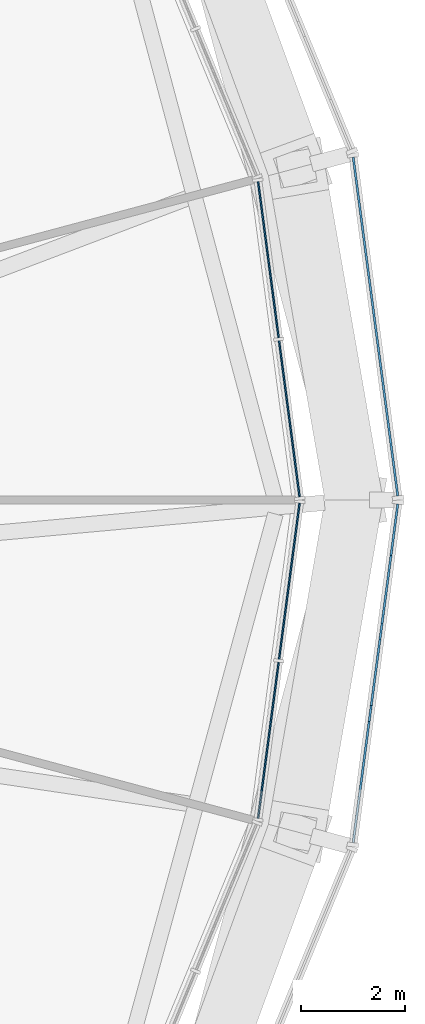
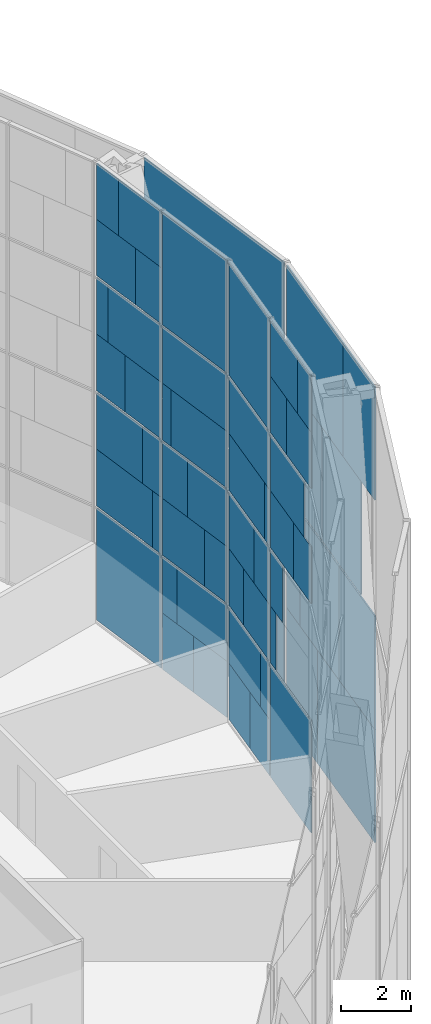
# One storey, part 19 of 28: 58 plates, 4 elements without a shape of their own.
"""IFC4 building model written with IfcOpenShell, lengths in metres."""

from ifc_helpers import new_model, si_unit, direction, frame, origin, origin_2d, place, context, subcontext, project, spatial, rectangle, extrude, material, layer, layer_set, type_object, element, aggregate, save


model = new_model("IFC4")

# Units and contexts
model_context = context("Model", 3, precision=1e-05, world=origin(), true_north=direction((0.0, 1.0)))
body_context = subcontext(model_context, "Body", "Model", "MODEL_VIEW")
ifc_project = project(units=[si_unit("LENGTHUNIT", "METRE"), si_unit("AREAUNIT", "SQUARE_METRE"), si_unit("VOLUMEUNIT", "CUBIC_METRE"), si_unit("PLANEANGLEUNIT", "RADIAN"), si_unit("MASSUNIT", "GRAM", prefix="KILO")], contexts=[model_context])

# Site, building, storey
site_placement = place(None, origin())
site = spatial("IfcSite", under=ifc_project, at=site_placement, CompositionType="ELEMENT")
building_placement = place(site_placement, origin())
building = spatial("IfcBuilding", under=site, at=building_placement, Name="Golbaran Civic Tower", CompositionType="ELEMENT")
storey_placement = place(building_placement, frame((0.0, 0.0, 183.0)))
storey = spatial("IfcBuildingStorey", under=building, at=storey_placement, Name="L44", CompositionType="ELEMENT", Elevation=183.0)

# Curtain wall, plates
ifc_material_1 = material(Name="Aluminium and glass", Category="aluminium")
curtain_wall_type_1 = type_object("IfcCurtainWallType", Name="INNER SKIN CURTAIN WALL EXECUTIVE", PredefinedType="NOTDEFINED", material=ifc_material_1)
curtain_wall_1_placement = place(storey_placement, origin())
curtain_wall_1 = element("IfcCurtainWall", 1, at=curtain_wall_1_placement, inside=storey, type_object=curtain_wall_type_1, Name="Inner skin L44 facet 1 CW2", ObjectType="INNER SKIN", PredefinedType="USERDEFINED")
ifc_material_2 = material(Name="Clear insulating glass", Category="glass")
ifc_layer_1 = layer(ifc_material_2, 0.031982421875, Name="Clear insulating glass")
ifc_layer_set_1 = layer_set([ifc_layer_1], Name="Clear insulating glass")
plate_type_1 = type_object("IfcPlateType", Name="INNER SKIN CURTAIN WALL EXECUTIVE GLAZED PANEL", PredefinedType="CURTAIN_PANEL", material=ifc_layer_set_1)
plate_1_placement = place(storey_placement, frame((23.50537109375, 2.328369140625, 0.06005859375), z_axis=(0.0, 0.0, 1.0), x_axis=(-0.130526192151, 0.991444861383, 0.0)))
plate_1 = element("IfcPlate", 2, at=plate_1_placement, type_object=plate_type_1, Name="CW2 panel 1.1 part 2", PredefinedType="CURTAIN_PANEL", context=body_context, shape_type="SweptSolid", body=[
    extrude(rectangle(XDim=1.458984375, YDim=0.031982421875, at=origin_2d()), origin(), (0.0, 0.0, 1.0), 1.955078125),
])
plate_2_placement = place(storey_placement, frame((23.453857421875, 2.719482421875, 2.014892578125), z_axis=(0.0, 0.0, 1.0), x_axis=(-0.130526192151, 0.991444861383, 0.0)))
plate_2 = element("IfcPlate", 3, at=plate_2_placement, type_object=plate_type_1, Name="CW2 panel 1.1 part 4", PredefinedType="CURTAIN_PANEL", context=body_context, shape_type="SweptSolid", body=[
    extrude(rectangle(XDim=0.670166015625, YDim=0.031982421875, at=origin_2d()), origin(), (0.0, 0.0, 1.0), 1.955078125),
])
plate_3_placement = place(storey_placement, frame((23.735107421875, 0.5849609375, 4.02978515625), z_axis=(0.0, 0.0, 1.0), x_axis=(-0.130526192151, 0.991444861383, 0.0)))
plate_3 = element("IfcPlate", 4, at=plate_3_placement, type_object=plate_type_1, Name="CW2 panel 1.2 part 1", PredefinedType="CURTAIN_PANEL", context=body_context, shape_type="SweptSolid", body=[
    extrude(rectangle(XDim=1.06005859375, YDim=0.031982421875, at=origin_2d()), origin(), (0.0, 0.0, 1.0), 1.969970703125),
])
plate_4_placement = place(storey_placement, frame((23.68310546875, 0.97900390625, 6.0), z_axis=(0.0, 0.0, 1.0), x_axis=(-0.130526192151, 0.991444861383, 0.0)))
plate_4 = element("IfcPlate", 5, at=plate_4_placement, type_object=plate_type_1, Name="CW2 panel 1.2 part 3", PredefinedType="CURTAIN_PANEL", context=body_context, shape_type="SweptSolid", body=[
    extrude(rectangle(XDim=1.85498046875, YDim=0.031982421875, at=origin_2d()), origin(), (0.0, 0.0, 1.0), 1.969970703125),
])
plate_5_placement = place(storey_placement, frame((23.63330078125, 1.356689453125, 8.02978515625), z_axis=(0.0, 0.0, 1.0), x_axis=(-0.130526192151, 0.991444861383, 0.0)))
plate_5 = element("IfcPlate", 6, at=plate_5_placement, type_object=plate_type_1, Name="CW2 panel 1.3 part 1", PredefinedType="CURTAIN_PANEL", context=body_context, shape_type="SweptSolid", body=[
    extrude(rectangle(XDim=2.616943359375, YDim=0.031982421875, at=origin_2d()), origin(), (0.0, 0.0, 1.0), 1.969970703125),
])
plate_6_placement = place(storey_placement, frame((23.607177734375, 1.5556640625, 10.0), z_axis=(0.0, 0.0, 1.0), x_axis=(-0.130526192151, 0.991444861383, 0.0)))
plate_6 = element("IfcPlate", 7, at=plate_6_placement, type_object=plate_type_1, Name="CW2 panel 1.3 part 3", PredefinedType="CURTAIN_PANEL", context=body_context, shape_type="SweptSolid", body=[
    extrude(rectangle(XDim=3.01806640625, YDim=0.031982421875, at=origin_2d()), origin(), (0.0, 0.0, 1.0), 1.969970703125),
])
plate_7_placement = place(storey_placement, frame((23.607177734375, 1.5556640625, 12.0302734375), z_axis=(0.0, 0.0, 1.0), x_axis=(-0.130526192151, 0.991444861383, 0.0)))
plate_7 = element("IfcPlate", 8, at=plate_7_placement, type_object=plate_type_1, Name="CW2 panel 1.4", PredefinedType="CURTAIN_PANEL", context=body_context, shape_type="SweptSolid", body=[
    extrude(rectangle(XDim=3.01806640625, YDim=0.031982421875, at=origin_2d()), origin(), (0.0, 0.0, 1.0), 3.909912109375),
])
plate_8_placement = place(storey_placement, frame((23.205322265625, 4.607421875, 0.06005859375), z_axis=(0.0, 0.0, 1.0), x_axis=(-0.130526192151, 0.991444861383, 0.0)))
plate_8 = element("IfcPlate", 9, at=plate_8_placement, type_object=plate_type_1, Name="CW2 panel 2.1", PredefinedType="CURTAIN_PANEL", context=body_context, shape_type="SweptSolid", body=[
    extrude(rectangle(XDim=3.01806640625, YDim=0.031982421875, at=origin_2d()), origin(), (0.0, 0.0, 1.0), 3.909912109375),
])
plate_9_placement = place(storey_placement, frame((23.179443359375, 4.8056640625, 4.02978515625), z_axis=(0.0, 0.0, 1.0), x_axis=(-0.130526192151, 0.991444861383, 0.0)))
plate_9 = element("IfcPlate", 10, at=plate_9_placement, type_object=plate_type_1, Name="CW2 panel 2.2 part 2", PredefinedType="CURTAIN_PANEL", context=body_context, shape_type="SweptSolid", body=[
    extrude(rectangle(XDim=2.6181640625, YDim=0.031982421875, at=origin_2d()), origin(), (0.0, 0.0, 1.0), 1.969970703125),
])
plate_10_placement = place(storey_placement, frame((23.14794921875, 5.044677734375, 6.0), z_axis=(0.0, 0.0, 1.0), x_axis=(-0.130526192151, 0.991444861383, 0.0)))
plate_10 = element("IfcPlate", 11, at=plate_10_placement, type_object=plate_type_1, Name="CW2 panel 2.2 part 4", PredefinedType="CURTAIN_PANEL", context=body_context, shape_type="SweptSolid", body=[
    extrude(rectangle(XDim=2.135986328125, YDim=0.031982421875, at=origin_2d()), origin(), (0.0, 0.0, 1.0), 1.969970703125),
])
plate_11_placement = place(storey_placement, frame((23.094482421875, 5.45068359375, 8.02978515625), z_axis=(0.0, 0.0, 1.0), x_axis=(-0.130526192151, 0.991444861383, 0.0)))
plate_11 = element("IfcPlate", 12, at=plate_11_placement, type_object=plate_type_1, Name="CW2 panel 2.3 part 2", PredefinedType="CURTAIN_PANEL", context=body_context, shape_type="SweptSolid", body=[
    extrude(rectangle(XDim=1.317138671875, YDim=0.031982421875, at=origin_2d()), origin(), (0.0, 0.0, 1.0), 1.969970703125),
])
plate_12_placement = place(storey_placement, frame((23.04248046875, 5.84423828125, 10.0), z_axis=(0.0, 0.0, 1.0), x_axis=(-0.130526192151, 0.991444861383, 0.0)))
plate_12 = element("IfcPlate", 13, at=plate_12_placement, type_object=plate_type_1, Name="CW2 panel 2.3 part 4", PredefinedType="CURTAIN_PANEL", context=body_context, shape_type="SweptSolid", body=[
    extrude(rectangle(XDim=0.523193359375, YDim=0.031982421875, at=origin_2d()), origin(), (0.0, 0.0, 1.0), 1.969970703125),
])
plate_13_placement = place(storey_placement, frame((23.323486328125, 3.7099609375, 12.030029296875), z_axis=(0.0, 0.0, 1.0), x_axis=(-0.130526192151, 0.991444861383, 0.0)))
plate_13 = element("IfcPlate", 14, at=plate_13_placement, type_object=plate_type_1, Name="CW2 panel 2.4 part 1", PredefinedType="CURTAIN_PANEL", context=body_context, shape_type="SweptSolid", body=[
    extrude(rectangle(XDim=1.2080078125, YDim=0.031982421875, at=origin_2d()), origin(), (0.0, 0.0, 1.0), 1.955078125),
])
plate_14_placement = place(storey_placement, frame((23.272216796875, 4.1005859375, 13.98486328125), z_axis=(0.0, 0.0, 1.0), x_axis=(-0.130526192151, 0.991444861383, 0.0)))
plate_14 = element("IfcPlate", 15, at=plate_14_placement, type_object=plate_type_1, Name="CW2 panel 2.4 part 3", PredefinedType="CURTAIN_PANEL", context=body_context, shape_type="SweptSolid", body=[
    extrude(rectangle(XDim=1.99609375, YDim=0.031982421875, at=origin_2d()), origin(), (0.0, 0.0, 1.0), 1.955078125),
])

curtain_wall_2_placement = place(storey_placement, origin())
curtain_wall_2 = element("IfcCurtainWall", 16, at=curtain_wall_2_placement, inside=storey, type_object=curtain_wall_type_1, Name="Inner skin L44 facet 24 CW2", ObjectType="INNER SKIN", PredefinedType="USERDEFINED")
plate_15_placement = place(storey_placement, frame((23.205322265625, -4.607421875, 0.06005859375), z_axis=(0.0, 0.0, 1.0), x_axis=(0.130526192151, 0.991444861383, 0.0)))
plate_15 = element("IfcPlate", 17, at=plate_15_placement, type_object=plate_type_1, Name="CW2 panel 1.1", PredefinedType="CURTAIN_PANEL", context=body_context, shape_type="SweptSolid", body=[
    extrude(rectangle(XDim=3.01806640625, YDim=0.031982421875, at=origin_2d()), origin(), (0.0, 0.0, 1.0), 3.909912109375),
])
plate_16_placement = place(storey_placement, frame((23.094482421875, -5.45068359375, 8.02978515625), z_axis=(0.0, 0.0, 1.0), x_axis=(0.130526192151, 0.991444861383, 0.0)))
plate_16 = element("IfcPlate", 18, at=plate_16_placement, type_object=plate_type_1, Name="CW2 panel 1.3 part 1", PredefinedType="CURTAIN_PANEL", context=body_context, shape_type="SweptSolid", body=[
    extrude(rectangle(XDim=1.31689453125, YDim=0.031982421875, at=origin_2d()), origin(), (0.0, 0.0, 1.0), 1.969970703125),
])
plate_17_placement = place(storey_placement, frame((23.323486328125, -3.710205078125, 12.030029296875), z_axis=(0.0, 0.0, 1.0), x_axis=(0.130526192151, 0.991444861383, 0.0)))
plate_17 = element("IfcPlate", 19, at=plate_17_placement, type_object=plate_type_1, Name="CW2 panel 1.4 part 2", PredefinedType="CURTAIN_PANEL", context=body_context, shape_type="SweptSolid", body=[
    extrude(rectangle(XDim=1.2080078125, YDim=0.031982421875, at=origin_2d()), origin(), (0.0, 0.0, 1.0), 1.955078125),
])
plate_18_placement = place(storey_placement, frame((23.272216796875, -4.100830078125, 13.98486328125), z_axis=(0.0, 0.0, 1.0), x_axis=(0.130526192151, 0.991444861383, 0.0)))
plate_18 = element("IfcPlate", 20, at=plate_18_placement, type_object=plate_type_1, Name="CW2 panel 1.4 part 4", PredefinedType="CURTAIN_PANEL", context=body_context, shape_type="SweptSolid", body=[
    extrude(rectangle(XDim=1.99609375, YDim=0.031982421875, at=origin_2d()), origin(), (0.0, 0.0, 1.0), 1.955078125),
])
plate_19_placement = place(storey_placement, frame((23.50537109375, -2.32861328125, 0.06005859375), z_axis=(0.0, 0.0, 1.0), x_axis=(0.130526192151, 0.991444861383, 0.0)))
plate_19 = element("IfcPlate", 21, at=plate_19_placement, type_object=plate_type_1, Name="CW2 panel 2.1 part 1", PredefinedType="CURTAIN_PANEL", context=body_context, shape_type="SweptSolid", body=[
    extrude(rectangle(XDim=1.458984375, YDim=0.031982421875, at=origin_2d()), origin(), (0.0, 0.0, 1.0), 1.955078125),
])
plate_20_placement = place(storey_placement, frame((23.453857421875, -2.7197265625, 2.014892578125), z_axis=(0.0, 0.0, 1.0), x_axis=(0.130526192151, 0.991444861383, 0.0)))
plate_20 = element("IfcPlate", 22, at=plate_20_placement, type_object=plate_type_1, Name="CW2 panel 2.1 part 3", PredefinedType="CURTAIN_PANEL", context=body_context, shape_type="SweptSolid", body=[
    extrude(rectangle(XDim=0.669921875, YDim=0.031982421875, at=origin_2d()), origin(), (0.0, 0.0, 1.0), 1.955078125),
])
plate_21_placement = place(storey_placement, frame((23.73486328125, -0.5849609375, 4.02978515625), z_axis=(0.0, 0.0, 1.0), x_axis=(0.130526192151, 0.991444861383, 0.0)))
plate_21 = element("IfcPlate", 23, at=plate_21_placement, type_object=plate_type_1, Name="CW2 panel 2.2 part 2", PredefinedType="CURTAIN_PANEL", context=body_context, shape_type="SweptSolid", body=[
    extrude(rectangle(XDim=1.06005859375, YDim=0.031982421875, at=origin_2d()), origin(), (0.0, 0.0, 1.0), 1.969970703125),
])
plate_22_placement = place(storey_placement, frame((23.68310546875, -0.97900390625, 6.0), z_axis=(0.0, 0.0, 1.0), x_axis=(0.130526192151, 0.991444861383, 0.0)))
plate_22 = element("IfcPlate", 24, at=plate_22_placement, type_object=plate_type_1, Name="CW2 panel 2.2 part 4", PredefinedType="CURTAIN_PANEL", context=body_context, shape_type="SweptSolid", body=[
    extrude(rectangle(XDim=1.85498046875, YDim=0.031982421875, at=origin_2d()), origin(), (0.0, 0.0, 1.0), 1.969970703125),
])
plate_23_placement = place(storey_placement, frame((23.63330078125, -1.35693359375, 8.02978515625), z_axis=(0.0, 0.0, 1.0), x_axis=(0.130526192151, 0.991444861383, 0.0)))
plate_23 = element("IfcPlate", 25, at=plate_23_placement, type_object=plate_type_1, Name="CW2 panel 2.3 part 2", PredefinedType="CURTAIN_PANEL", context=body_context, shape_type="SweptSolid", body=[
    extrude(rectangle(XDim=2.6171875, YDim=0.031982421875, at=origin_2d()), origin(), (0.0, 0.0, 1.0), 1.969970703125),
])
plate_24_placement = place(storey_placement, frame((23.607177734375, -1.5556640625, 10.0), z_axis=(0.0, 0.0, 1.0), x_axis=(0.130526192151, 0.991444861383, 0.0)))
plate_24 = element("IfcPlate", 26, at=plate_24_placement, type_object=plate_type_1, Name="CW2 panel 2.3 part 3", PredefinedType="CURTAIN_PANEL", context=body_context, shape_type="SweptSolid", body=[
    extrude(rectangle(XDim=3.01806640625, YDim=0.031982421875, at=origin_2d()), origin(), (0.0, 0.0, 1.0), 1.969970703125),
])
plate_25_placement = place(storey_placement, frame((23.607177734375, -1.5556640625, 12.0302734375), z_axis=(0.0, 0.0, 1.0), x_axis=(0.130526192151, 0.991444861383, 0.0)))
plate_25 = element("IfcPlate", 27, at=plate_25_placement, type_object=plate_type_1, Name="CW2 panel 2.4", PredefinedType="CURTAIN_PANEL", context=body_context, shape_type="SweptSolid", body=[
    extrude(rectangle(XDim=3.01806640625, YDim=0.031982421875, at=origin_2d()), origin(), (0.0, 0.0, 1.0), 3.909912109375),
])

# Plate
ifc_material_3 = material(Name="Aluminium faced opaque infill panel", Category="aluminium")
ifc_layer_2 = layer(ifc_material_3, 0.031982421875, Name="Aluminium faced opaque infill panel")
ifc_layer_set_2 = layer_set([ifc_layer_2], Name="Aluminium faced opaque infill panel")
plate_type_2 = type_object("IfcPlateType", Name="INNER SKIN CURTAIN WALL EXECUTIVE OPAQUE INFILL PANEL", PredefinedType="CURTAIN_PANEL", material=ifc_layer_set_2)
plate_26_placement = place(storey_placement, frame((23.702392578125, 0.832275390625, 0.06005859375), z_axis=(0.0, 0.0, 1.0), x_axis=(-0.130526192151, 0.991444861383, 0.0)))
plate_26 = element("IfcPlate", 28, at=plate_26_placement, type_object=plate_type_2, Name="CW2 infill panel 1.1 part 1", PredefinedType="CURTAIN_PANEL", context=body_context, shape_type="SweptSolid", body=[
    extrude(rectangle(XDim=1.55908203125, YDim=0.031982421875, at=origin_2d()), origin(), (0.0, 0.0, 1.0), 1.955078125),
])

plate_27_placement = place(storey_placement, frame((23.65087890625, 1.223388671875, 2.014892578125), z_axis=(0.0, 0.0, 1.0), x_axis=(-0.130526192151, 0.991444861383, 0.0)))
plate_27 = element("IfcPlate", 29, at=plate_27_placement, type_object=plate_type_2, Name="CW2 infill panel 1.1 part 3", PredefinedType="CURTAIN_PANEL", context=body_context, shape_type="SweptSolid", body=[
    extrude(rectangle(XDim=2.347900390625, YDim=0.031982421875, at=origin_2d()), origin(), (0.0, 0.0, 1.0), 1.955078125),
])

plate_28_placement = place(storey_placement, frame((23.5380859375, 2.0810546875, 4.02978515625), z_axis=(0.0, 0.0, 1.0), x_axis=(-0.130526192151, 0.991444861383, 0.0)))
plate_28 = element("IfcPlate", 30, at=plate_28_placement, type_object=plate_type_2, Name="CW2 infill panel 1.2 part 2", PredefinedType="CURTAIN_PANEL", context=body_context, shape_type="SweptSolid", body=[
    extrude(rectangle(XDim=1.9580078125, YDim=0.031982421875, at=origin_2d()), origin(), (0.0, 0.0, 1.0), 1.969970703125),
])

plate_29_placement = place(storey_placement, frame((23.486083984375, 2.47509765625, 6.0), z_axis=(0.0, 0.0, 1.0), x_axis=(-0.130526192151, 0.991444861383, 0.0)))
plate_29 = element("IfcPlate", 31, at=plate_29_placement, type_object=plate_type_2, Name="CW2 infill panel 1.2 part 4", PredefinedType="CURTAIN_PANEL", context=body_context, shape_type="SweptSolid", body=[
    extrude(rectangle(XDim=1.1630859375, YDim=0.031982421875, at=origin_2d()), origin(), (0.0, 0.0, 1.0), 1.969970703125),
])

plate_30_placement = place(storey_placement, frame((23.4365234375, 2.85302734375, 8.02978515625), z_axis=(0.0, 0.0, 1.0), x_axis=(-0.130526192151, 0.991444861383, 0.0)))
plate_30 = element("IfcPlate", 32, at=plate_30_placement, type_object=plate_type_2, Name="CW2 infill panel 1.3 part 2", PredefinedType="CURTAIN_PANEL", context=body_context, shape_type="SweptSolid", body=[
    extrude(rectangle(XDim=0.401123046875, YDim=0.031982421875, at=origin_2d()), origin(), (0.0, 0.0, 1.0), 1.969970703125),
])

plate_31_placement = place(storey_placement, frame((23.376220703125, 3.3095703125, 4.02978515625), z_axis=(0.0, 0.0, 1.0), x_axis=(-0.130526192151, 0.991444861383, 0.0)))
plate_31 = element("IfcPlate", 33, at=plate_31_placement, type_object=plate_type_2, Name="CW2 infill panel 2.2 part 1", PredefinedType="CURTAIN_PANEL", context=body_context, shape_type="SweptSolid", body=[
    extrude(rectangle(XDim=0.39990234375, YDim=0.031982421875, at=origin_2d()), origin(), (0.0, 0.0, 1.0), 1.969970703125),
])

plate_32_placement = place(storey_placement, frame((23.3447265625, 3.548583984375, 6.0), z_axis=(0.0, 0.0, 1.0), x_axis=(-0.130526192151, 0.991444861383, 0.0)))
plate_32 = element("IfcPlate", 34, at=plate_32_placement, type_object=plate_type_2, Name="CW2 infill panel 2.2 part 3", PredefinedType="CURTAIN_PANEL", context=body_context, shape_type="SweptSolid", body=[
    extrude(rectangle(XDim=0.882080078125, YDim=0.031982421875, at=origin_2d()), origin(), (0.0, 0.0, 1.0), 1.969970703125),
])

plate_33_placement = place(storey_placement, frame((23.29150390625, 3.954345703125, 8.02978515625), z_axis=(0.0, 0.0, 1.0), x_axis=(-0.130526192151, 0.991444861383, 0.0)))
plate_33 = element("IfcPlate", 35, at=plate_33_placement, type_object=plate_type_2, Name="CW2 infill panel 2.3 part 1", PredefinedType="CURTAIN_PANEL", context=body_context, shape_type="SweptSolid", body=[
    extrude(rectangle(XDim=1.700927734375, YDim=0.031982421875, at=origin_2d()), origin(), (0.0, 0.0, 1.0), 1.969970703125),
])

plate_34_placement = place(storey_placement, frame((23.239501953125, 4.34814453125, 10.0), z_axis=(0.0, 0.0, 1.0), x_axis=(-0.130526192151, 0.991444861383, 0.0)))
plate_34 = element("IfcPlate", 36, at=plate_34_placement, type_object=plate_type_2, Name="CW2 infill panel 2.3 part 3", PredefinedType="CURTAIN_PANEL", context=body_context, shape_type="SweptSolid", body=[
    extrude(rectangle(XDim=2.4951171875, YDim=0.031982421875, at=origin_2d()), origin(), (0.0, 0.0, 1.0), 1.969970703125),
])

plate_35_placement = place(storey_placement, frame((23.126708984375, 5.206298828125, 12.030029296875), z_axis=(0.0, 0.0, 1.0), x_axis=(-0.130526192151, 0.991444861383, 0.0)))
plate_35 = element("IfcPlate", 37, at=plate_35_placement, type_object=plate_type_2, Name="CW2 infill panel 2.4 part 2", PredefinedType="CURTAIN_PANEL", context=body_context, shape_type="SweptSolid", body=[
    extrude(rectangle(XDim=1.81005859375, YDim=0.031982421875, at=origin_2d()), origin(), (0.0, 0.0, 1.0), 1.955078125),
])

plate_36_placement = place(storey_placement, frame((23.0751953125, 5.596923828125, 13.98486328125), z_axis=(0.0, 0.0, 1.0), x_axis=(-0.130526192151, 0.991444861383, 0.0)))
plate_36 = element("IfcPlate", 38, at=plate_36_placement, type_object=plate_type_2, Name="CW2 infill panel 2.4 part 4", PredefinedType="CURTAIN_PANEL", context=body_context, shape_type="SweptSolid", body=[
    extrude(rectangle(XDim=1.02197265625, YDim=0.031982421875, at=origin_2d()), origin(), (0.0, 0.0, 1.0), 1.955078125),
])

aggregate(curtain_wall_1, [plate_26, plate_1, plate_27, plate_2, plate_3, plate_28, plate_4, plate_29, plate_5, plate_30, plate_6, plate_7, plate_8, plate_31, plate_9, plate_32, plate_10, plate_33, plate_11, plate_34, plate_12, plate_13, plate_35, plate_14, plate_36])

plate_37_placement = place(storey_placement, frame((23.376220703125, -3.31005859375, 4.02978515625), z_axis=(0.0, 0.0, 1.0), x_axis=(0.130526192151, 0.991444861383, 0.0)))
plate_37 = element("IfcPlate", 39, at=plate_37_placement, type_object=plate_type_2, Name="CW2 infill panel 1.2 part 2", PredefinedType="CURTAIN_PANEL", context=body_context, shape_type="SweptSolid", body=[
    extrude(rectangle(XDim=0.401123046875, YDim=0.031982421875, at=origin_2d()), origin(), (0.0, 0.0, 1.0), 1.969970703125),
])

plate_38_placement = place(storey_placement, frame((23.3447265625, -3.548583984375, 6.0), z_axis=(0.0, 0.0, 1.0), x_axis=(0.130526192151, 0.991444861383, 0.0)))
plate_38 = element("IfcPlate", 40, at=plate_38_placement, type_object=plate_type_2, Name="CW2 infill panel 1.2 part 4", PredefinedType="CURTAIN_PANEL", context=body_context, shape_type="SweptSolid", body=[
    extrude(rectangle(XDim=0.882080078125, YDim=0.031982421875, at=origin_2d()), origin(), (0.0, 0.0, 1.0), 1.969970703125),
])

plate_39_placement = place(storey_placement, frame((23.291259765625, -3.95458984375, 8.02978515625), z_axis=(0.0, 0.0, 1.0), x_axis=(0.130526192151, 0.991444861383, 0.0)))
plate_39 = element("IfcPlate", 41, at=plate_39_placement, type_object=plate_type_2, Name="CW2 infill panel 1.3 part 2", PredefinedType="CURTAIN_PANEL", context=body_context, shape_type="SweptSolid", body=[
    extrude(rectangle(XDim=1.701171875, YDim=0.031982421875, at=origin_2d()), origin(), (0.0, 0.0, 1.0), 1.969970703125),
])

plate_40_placement = place(storey_placement, frame((23.239501953125, -4.34814453125, 10.0), z_axis=(0.0, 0.0, 1.0), x_axis=(0.130526192151, 0.991444861383, 0.0)))
plate_40 = element("IfcPlate", 42, at=plate_40_placement, type_object=plate_type_2, Name="CW2 infill panel 1.3 part 4", PredefinedType="CURTAIN_PANEL", context=body_context, shape_type="SweptSolid", body=[
    extrude(rectangle(XDim=2.4951171875, YDim=0.031982421875, at=origin_2d()), origin(), (0.0, 0.0, 1.0), 1.969970703125),
])

plate_41_placement = place(storey_placement, frame((23.12646484375, -5.206298828125, 12.030029296875), z_axis=(0.0, 0.0, 1.0), x_axis=(0.130526192151, 0.991444861383, 0.0)))
plate_41 = element("IfcPlate", 43, at=plate_41_placement, type_object=plate_type_2, Name="CW2 infill panel 1.4 part 1", PredefinedType="CURTAIN_PANEL", context=body_context, shape_type="SweptSolid", body=[
    extrude(rectangle(XDim=1.81005859375, YDim=0.031982421875, at=origin_2d()), origin(), (0.0, 0.0, 1.0), 1.955078125),
])

plate_42_placement = place(storey_placement, frame((23.0751953125, -5.596923828125, 13.98486328125), z_axis=(0.0, 0.0, 1.0), x_axis=(0.130526192151, 0.991444861383, 0.0)))
plate_42 = element("IfcPlate", 44, at=plate_42_placement, type_object=plate_type_2, Name="CW2 infill panel 1.4 part 3", PredefinedType="CURTAIN_PANEL", context=body_context, shape_type="SweptSolid", body=[
    extrude(rectangle(XDim=1.02197265625, YDim=0.031982421875, at=origin_2d()), origin(), (0.0, 0.0, 1.0), 1.955078125),
])

plate_43_placement = place(storey_placement, frame((23.702392578125, -0.832275390625, 0.06005859375), z_axis=(0.0, 0.0, 1.0), x_axis=(0.130526192151, 0.991444861383, 0.0)))
plate_43 = element("IfcPlate", 45, at=plate_43_placement, type_object=plate_type_2, Name="CW2 infill panel 2.1 part 2", PredefinedType="CURTAIN_PANEL", context=body_context, shape_type="SweptSolid", body=[
    extrude(rectangle(XDim=1.55908203125, YDim=0.031982421875, at=origin_2d()), origin(), (0.0, 0.0, 1.0), 1.955078125),
])

plate_44_placement = place(storey_placement, frame((23.65087890625, -1.223388671875, 2.014892578125), z_axis=(0.0, 0.0, 1.0), x_axis=(0.130526192151, 0.991444861383, 0.0)))
plate_44 = element("IfcPlate", 46, at=plate_44_placement, type_object=plate_type_2, Name="CW2 infill panel 2.1 part 4", PredefinedType="CURTAIN_PANEL", context=body_context, shape_type="SweptSolid", body=[
    extrude(rectangle(XDim=2.34814453125, YDim=0.031982421875, at=origin_2d()), origin(), (0.0, 0.0, 1.0), 1.955078125),
])

plate_45_placement = place(storey_placement, frame((23.5380859375, -2.0810546875, 4.02978515625), z_axis=(0.0, 0.0, 1.0), x_axis=(0.130526192151, 0.991444861383, 0.0)))
plate_45 = element("IfcPlate", 47, at=plate_45_placement, type_object=plate_type_2, Name="CW2 infill panel 2.2 part 1", PredefinedType="CURTAIN_PANEL", context=body_context, shape_type="SweptSolid", body=[
    extrude(rectangle(XDim=1.9580078125, YDim=0.031982421875, at=origin_2d()), origin(), (0.0, 0.0, 1.0), 1.969970703125),
])

plate_46_placement = place(storey_placement, frame((23.486083984375, -2.475341796875, 6.0), z_axis=(0.0, 0.0, 1.0), x_axis=(0.130526192151, 0.991444861383, 0.0)))
plate_46 = element("IfcPlate", 48, at=plate_46_placement, type_object=plate_type_2, Name="CW2 infill panel 2.2 part 3", PredefinedType="CURTAIN_PANEL", context=body_context, shape_type="SweptSolid", body=[
    extrude(rectangle(XDim=1.1630859375, YDim=0.031982421875, at=origin_2d()), origin(), (0.0, 0.0, 1.0), 1.969970703125),
])

plate_47_placement = place(storey_placement, frame((23.436279296875, -2.85302734375, 8.02978515625), z_axis=(0.0, 0.0, 1.0), x_axis=(0.130526192151, 0.991444861383, 0.0)))
plate_47 = element("IfcPlate", 49, at=plate_47_placement, type_object=plate_type_2, Name="CW2 infill panel 2.3 part 1", PredefinedType="CURTAIN_PANEL", context=body_context, shape_type="SweptSolid", body=[
    extrude(rectangle(XDim=0.40087890625, YDim=0.031982421875, at=origin_2d()), origin(), (0.0, 0.0, 1.0), 1.969970703125),
])

aggregate(curtain_wall_2, [plate_15, plate_37, plate_38, plate_16, plate_39, plate_40, plate_41, plate_17, plate_42, plate_18, plate_19, plate_43, plate_20, plate_44, plate_45, plate_21, plate_46, plate_22, plate_47, plate_23, plate_24, plate_25])

# Curtain wall, plates
curtain_wall_type_2 = type_object("IfcCurtainWallType", Name="OUTER SKIN TERRACOTTA SCREEN", PredefinedType="NOTDEFINED", material=ifc_material_1)
curtain_wall_3_placement = place(storey_placement, origin())
curtain_wall_3 = element("IfcCurtainWall", 50, at=curtain_wall_3_placement, inside=storey, type_object=curtain_wall_type_2, Name="Outer skin L44 facet 24 CW3", ObjectType="OUTER SKIN", PredefinedType="USERDEFINED")
ifc_material_4 = material(Name="Clear laminated glass", Category="glass")
ifc_layer_3 = layer(ifc_material_4, 0.0400390625, Name="Clear laminated glass")
ifc_layer_set_3 = layer_set([ifc_layer_3], Name="Clear laminated glass")
plate_type_3 = type_object("IfcPlateType", Name="OUTER SKIN CLEAR GLASS PANEL", PredefinedType="CURTAIN_PANEL", material=ifc_layer_set_3)
plate_48_placement = place(storey_placement, frame((25.108642578125, -4.46923828125, -0.6298828125), z_axis=(0.0, 0.0, 1.0), x_axis=(0.130526192237, 0.991444861372, 0.0)))
plate_48 = element("IfcPlate", 51, at=plate_48_placement, type_object=plate_type_3, Name="CW3 panel 1.1 part 1", PredefinedType="CURTAIN_PANEL", context=body_context, shape_type="SweptSolid", body=[
    extrude(rectangle(XDim=4.240966796875, YDim=0.0400390625, at=origin_2d()), origin(), (0.0, 0.0, 1.0), 3.93994140625),
])
plate_49_placement = place(storey_placement, frame((25.0048828125, -5.2568359375, 3.31005859375), z_axis=(0.0, 0.0, 1.0), x_axis=(0.130526192237, 0.991444861372, 0.0)))
plate_49 = element("IfcPlate", 52, at=plate_49_placement, type_object=plate_type_3, Name="CW3 panel 1.1 part 3", PredefinedType="CURTAIN_PANEL", context=body_context, shape_type="SweptSolid", body=[
    extrude(rectangle(XDim=2.652099609375, YDim=0.0400390625, at=origin_2d()), origin(), (0.0, 0.0, 1.0), 3.93994140625),
])
plate_50_placement = place(storey_placement, frame((25.62158203125, -0.5732421875, 3.31005859375), z_axis=(0.0, 0.0, 1.0), x_axis=(0.130526192237, 0.991444861372, 0.0)))
plate_50 = element("IfcPlate", 53, at=plate_50_placement, type_object=plate_type_3, Name="CW3 panel 1.1 part 5", PredefinedType="CURTAIN_PANEL", context=body_context, shape_type="SweptSolid", body=[
    extrude(rectangle(XDim=0.996337890625, YDim=0.0400390625, at=origin_2d()), origin(), (0.0, 0.0, 1.0), 3.93994140625),
])
plate_51_placement = place(storey_placement, frame((25.515869140625, -1.376708984375, 7.330078125), z_axis=(0.0, 0.0, 1.0), x_axis=(0.130526192237, 0.991444861372, 0.0)))
plate_51 = element("IfcPlate", 54, at=plate_51_placement, type_object=plate_type_3, Name="CW3 panel 1.2 part 3", PredefinedType="CURTAIN_PANEL", context=body_context, shape_type="SweptSolid", body=[
    extrude(rectangle(XDim=2.6171875, YDim=0.0400390625, at=origin_2d()), origin(), (0.0, 0.0, 1.0), 3.93994140625),
])
plate_52_placement = place(storey_placement, frame((25.411865234375, -2.16552734375, 11.27001953125), z_axis=(0.0, 0.0, 1.0), x_axis=(0.130526192237, 0.991444861372, 0.0)))
plate_52 = element("IfcPlate", 55, at=plate_52_placement, type_object=plate_type_3, Name="CW3 panel 1.2 part 5", PredefinedType="CURTAIN_PANEL", context=body_context, shape_type="SweptSolid", body=[
    extrude(rectangle(XDim=4.208251953125, YDim=0.0400390625, at=origin_2d()), origin(), (0.0, 0.0, 1.0), 3.93994140625),
])
ifc_material_5 = material(Name="Terracotta baguette screen", Category="masonry")
ifc_layer_4 = layer(ifc_material_5, 0.0400390625, Name="Terracotta baguette screen")
ifc_layer_set_4 = layer_set([ifc_layer_4], Name="Terracotta baguette screen")
plate_type_4 = type_object("IfcPlateType", Name="OUTER SKIN TERRACOTTA INFILL PANEL", PredefinedType="CURTAIN_PANEL", material=ifc_layer_set_4)
plate_53_placement = place(storey_placement, frame((25.535888671875, -1.22314453125, -0.6298828125), z_axis=(0.0, 0.0, 1.0), x_axis=(0.130526192237, 0.991444861372, 0.0)))
plate_53 = element("IfcPlate", 56, at=plate_53_placement, type_object=plate_type_4, Name="CW3 infill panel 1.1 part 2", PredefinedType="CURTAIN_PANEL", context=body_context, shape_type="SweptSolid", body=[
    extrude(rectangle(XDim=2.307373046875, YDim=0.0400390625, at=origin_2d()), origin(), (0.0, 0.0, 1.0), 3.93994140625),
])
plate_54_placement = place(storey_placement, frame((25.3671875, -2.504638671875, 3.31005859375), z_axis=(0.0, 0.0, 1.0), x_axis=(0.130526192237, 0.991444861372, 0.0)))
plate_54 = element("IfcPlate", 57, at=plate_54_placement, type_object=plate_type_4, Name="CW3 infill panel 1.1 part 4", PredefinedType="CURTAIN_PANEL", context=body_context, shape_type="SweptSolid", body=[
    extrude(rectangle(XDim=2.89990234375, YDim=0.0400390625, at=origin_2d()), origin(), (0.0, 0.0, 1.0), 3.93994140625),
])
plate_55_placement = place(storey_placement, frame((25.15576171875, -4.11181640625, 7.330078125), z_axis=(0.0, 0.0, 1.0), x_axis=(0.130526192237, 0.991444861372, 0.0)))
plate_55 = element("IfcPlate", 58, at=plate_55_placement, type_object=plate_type_4, Name="CW3 infill panel 1.2 part 2", PredefinedType="CURTAIN_PANEL", context=body_context, shape_type="SweptSolid", body=[
    extrude(rectangle(XDim=2.89990234375, YDim=0.0400390625, at=origin_2d()), origin(), (0.0, 0.0, 1.0), 3.93994140625),
])
plate_56_placement = place(storey_placement, frame((24.984619140625, -5.41162109375, 11.27001953125), z_axis=(0.0, 0.0, 1.0), x_axis=(0.130526192237, 0.991444861372, 0.0)))
plate_56 = element("IfcPlate", 59, at=plate_56_placement, type_object=plate_type_4, Name="CW3 infill panel 1.2 part 4", PredefinedType="CURTAIN_PANEL", context=body_context, shape_type="SweptSolid", body=[
    extrude(rectangle(XDim=2.340087890625, YDim=0.0400390625, at=origin_2d()), origin(), (0.0, 0.0, 1.0), 3.93994140625),
])
aggregate(curtain_wall_3, [plate_48, plate_53, plate_49, plate_54, plate_50, plate_55, plate_51, plate_56, plate_52])

curtain_wall_4_placement = place(storey_placement, origin())
curtain_wall_4 = element("IfcCurtainWall", 60, at=curtain_wall_4_placement, inside=storey, type_object=curtain_wall_type_2, Name="Outer skin L44 facet 1 CW3", ObjectType="OUTER SKIN", PredefinedType="USERDEFINED")
ifc_layer_5 = layer(ifc_material_5, 0.0400390625, Name="Terracotta baguette screen")
ifc_layer_set_5 = layer_set([ifc_layer_5], Name="Terracotta baguette screen")
plate_type_5 = type_object("IfcPlateType", Name="OUTER SKIN TERRACOTTA SCREEN PANEL", PredefinedType="CURTAIN_PANEL", material=ifc_layer_set_5)
plate_57_placement = place(storey_placement, frame((25.25927734375, 3.325439453125, -0.6298828125), z_axis=(0.0, 0.0, 1.0), x_axis=(-0.130526192237, 0.991444861372, 0.0)))
plate_57 = element("IfcPlate", 61, at=plate_57_placement, type_object=plate_type_5, Name="CW3 terracotta screen panel 1.1", PredefinedType="CURTAIN_PANEL", context=body_context, shape_type="SweptSolid", body=[
    extrude(rectangle(XDim=6.54833984375, YDim=0.0400390625, at=origin_2d()), origin(), (0.0, 0.0, 1.0), 7.8798828125),
])
plate_58_placement = place(storey_placement, frame((25.25927734375, 3.325439453125, 7.330078125), z_axis=(0.0, 0.0, 1.0), x_axis=(-0.130526192237, 0.991444861372, 0.0)))
plate_58 = element("IfcPlate", 62, at=plate_58_placement, type_object=plate_type_5, Name="CW3 terracotta screen panel 1.2", PredefinedType="CURTAIN_PANEL", context=body_context, shape_type="SweptSolid", body=[
    extrude(rectangle(XDim=6.54833984375, YDim=0.0400390625, at=origin_2d()), origin(), (0.0, 0.0, 1.0), 7.8798828125),
])
aggregate(curtain_wall_4, [plate_57, plate_58])

save(model, "model.ifc")
